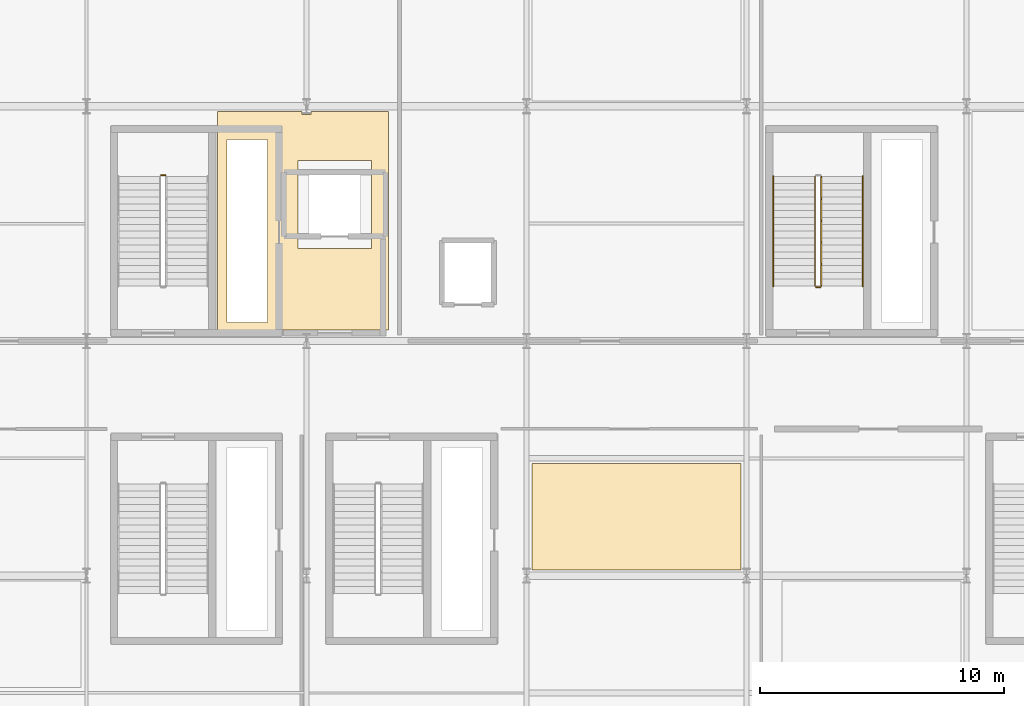
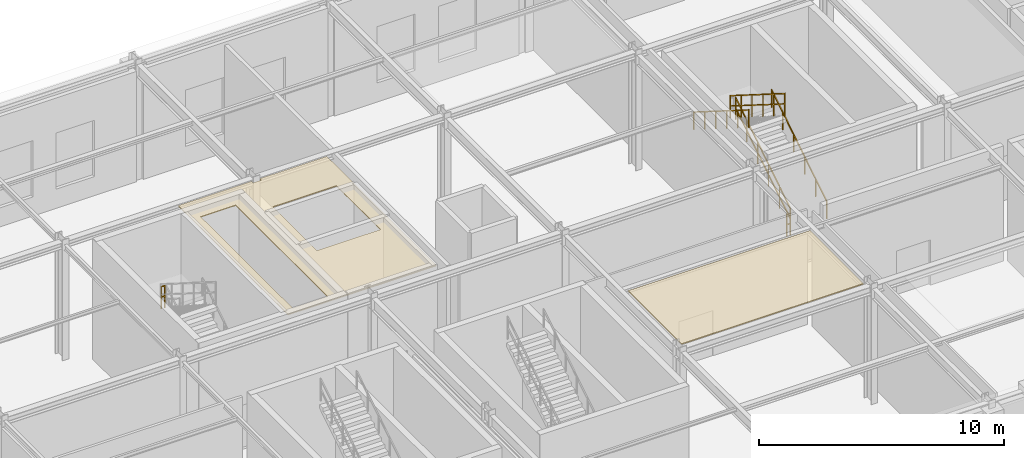
# One storey, part 108 of 113: 6 railings, 2 coverings.
"""IFC4 building model written with IfcOpenShell, lengths in metres."""

from ifc_helpers import new_model, si_unit, direction, frame, origin, origin_2d, place, context, subcontext, project, spatial, polyline, rectangle, outline, extrude, material, layer, layer_set, type_object, element, save


model = new_model("IFC4")

# Units and contexts
model_context = context("Model", 3, precision=1e-05, world=origin(), true_north=direction((0.0, 1.0)))
body_context = subcontext(model_context, "Body", "Model", "MODEL_VIEW")
ifc_project = project(units=[si_unit("LENGTHUNIT", "METRE"), si_unit("AREAUNIT", "SQUARE_METRE"), si_unit("VOLUMEUNIT", "CUBIC_METRE"), si_unit("PLANEANGLEUNIT", "RADIAN"), si_unit("MASSUNIT", "GRAM", prefix="KILO")], contexts=[model_context])

# Site, building, storey
site_placement = place(None, origin())
site = spatial("IfcSite", under=ifc_project, at=site_placement, CompositionType="ELEMENT")
building_placement = place(site_placement, origin())
building = spatial("IfcBuilding", under=site, at=building_placement, Name="Myrtia Square Station", CompositionType="ELEMENT")
storey_placement = place(building_placement, origin())
storey = spatial("IfcBuildingStorey", under=building, at=storey_placement, Name="L00", CompositionType="ELEMENT", Elevation=0.0)

# Coverings
ifc_material_1 = material(Name="Acoustic European oak timber", Category="wood")
ifc_layer = layer(ifc_material_1, 0.044921875, Name="Acoustic European oak timber")
ifc_layer_set = layer_set([ifc_layer], Name="Acoustic European oak timber")
covering_type = type_object("IfcCoveringType", Name="COV-CEIL-OAK", PredefinedType="CEILING", material=ifc_layer_set)
covering_1_placement = place(storey_placement, frame((0.0, 0.0, 5.705078125)))
element("IfcCovering", 1, at=covering_1_placement, inside=storey, type_object=covering_type, Name="Acoustic coffer ceiling L00-17", PredefinedType="CEILING", context=body_context, shape_type="SweptSolid", body=[
    extrude(outline(polyline([(144.219970703125, 96.219970703125), (144.219970703125, 100.580078125), (152.780029296875, 100.580078125), (152.780029296875, 96.219970703125), (144.219970703125, 96.219970703125)])), origin(), (0.0, 0.0, 1.0), 0.044921875),
])
covering_2_placement = place(storey_placement, frame((0.0, 0.0, 5.705078125)))
element("IfcCovering", 2, at=covering_2_placement, inside=storey, type_object=covering_type, Name="Acoustic coffer ceiling L00-25", PredefinedType="CEILING", context=body_context, shape_type="SweptSolid", body=[
    extrude(outline(polyline([(138.35009765625, 106.050048828125), (131.360107421875, 106.050048828125), (131.360107421875, 114.97998046875), (134.81005859375, 114.97998046875), (134.81005859375, 114.860107421875), (135.18994140625, 114.860107421875), (135.18994140625, 114.97998046875), (138.35009765625, 114.97998046875), (138.35009765625, 106.050048828125)]), holes=[polyline([(133.39990234375, 113.85009765625), (131.75, 113.85009765625), (131.75, 106.35009765625), (133.39990234375, 106.35009765625), (133.39990234375, 113.85009765625)]), polyline([(134.64990234375, 112.989990234375), (134.64990234375, 109.389892578125), (137.64990234375, 109.389892578125), (137.64990234375, 112.989990234375), (134.64990234375, 112.989990234375)])]), origin(), (0.0, 0.0, 1.0), 0.044921875),
])

# Railings
ifc_material_2 = material(Name="Dark bronze anodised aluminium", Category="aluminium")
railing_type_1 = type_object("IfcRailingType", Name="RL-HANDRAIL-900", PredefinedType="HANDRAIL", material=ifc_material_2)
railing_1_placement = place(storey_placement, frame((157.760009765625, 107.85009765625, 0.176513671875)))
element("IfcRailing", 3, at=railing_1_placement, inside=storey, type_object=railing_type_1, Name="L00 ST15 stair handrail 1", PredefinedType="HANDRAIL", context=body_context, shape_type="SweptSolid", body=[
    extrude(rectangle(XDim=0.048095703125, YDim=0.048095703125, at=origin_2d()), frame((0.0, 0.029296875, 0.894287109375), z_axis=(0.0, 0.845997938375, 0.533186166611), x_axis=(-1.0, 0.0, 0.0)), (0.0, 0.0, 1.0), 0.98974609375),
    extrude(rectangle(XDim=0.048095703125, YDim=0.048095703125, at=origin_2d()), frame((0.0, 0.92529296875, 1.458984375), z_axis=(0.0, 0.845997938375, 0.533186166611), x_axis=(-1.0, 0.0, 0.0)), (0.0, 0.0, 1.0), 0.98974609375),
    extrude(rectangle(XDim=0.048095703125, YDim=0.048095703125, at=origin_2d()), frame((0.0, 1.8212890625, 2.023681640625), z_axis=(0.0, 0.845997938375, 0.533186166611), x_axis=(-1.0, 0.0, 0.0)), (0.0, 0.0, 1.0), 0.98974609375),
    extrude(rectangle(XDim=0.048095703125, YDim=0.048095703125, at=origin_2d()), frame((0.0, 2.71728515625, 2.58837890625), z_axis=(0.0, 0.845997938375, 0.533186166611), x_axis=(-1.0, 0.0, 0.0)), (0.0, 0.0, 1.0), 0.98974609375),
    extrude(rectangle(XDim=0.048095703125, YDim=0.048095703125, at=origin_2d()), frame((0.0, 3.61328125, 3.153076171875), z_axis=(0.0, 0.845997938375, 0.533186166611), x_axis=(-1.0, 0.0, 0.0)), (0.0, 0.0, 1.0), 0.98974609375),
    extrude(rectangle(XDim=0.0439453125, YDim=0.0439453125, at=origin_2d()), origin(), (0.0, 0.0, 1.0), 0.89990234375),
    extrude(rectangle(XDim=0.0439453125, YDim=0.0439453125, at=origin_2d()), frame((0.0, 0.89599609375, 0.564697265625)), (0.0, 0.0, 1.0), 0.89990234375),
    extrude(rectangle(XDim=0.0439453125, YDim=0.0439453125, at=origin_2d()), frame((0.0, 1.7919921875, 1.12939453125)), (0.0, 0.0, 1.0), 0.89990234375),
    extrude(rectangle(XDim=0.0439453125, YDim=0.0439453125, at=origin_2d()), frame((0.0, 2.68798828125, 1.694091796875)), (0.0, 0.0, 1.0), 0.89990234375),
    extrude(rectangle(XDim=0.0439453125, YDim=0.0439453125, at=origin_2d()), frame((0.0, 3.583984375, 2.2587890625)), (0.0, 0.0, 1.0), 0.89990234375),
    extrude(rectangle(XDim=0.0439453125, YDim=0.0439453125, at=origin_2d()), frame((0.0, 4.47998046875, 2.823486328125)), (0.0, 0.0, 1.0), 0.89990234375),
])
railing_2_placement = place(storey_placement, frame((154.10009765625, 112.330078125, 3.176513671875)))
element("IfcRailing", 4, at=railing_2_placement, inside=storey, type_object=railing_type_1, Name="L00 ST15 stair handrail 2", PredefinedType="HANDRAIL", context=body_context, shape_type="SweptSolid", body=[
    extrude(rectangle(XDim=0.048095703125, YDim=0.048095703125, at=origin_2d()), frame((0.0, -0.029296875, 0.894287109375), z_axis=(0.0, -0.845997938375, 0.533186166611), x_axis=(1.0, 0.0, 0.0)), (0.0, 0.0, 1.0), 0.98974609375),
    extrude(rectangle(XDim=0.048095703125, YDim=0.048095703125, at=origin_2d()), frame((0.0, -0.92529296875, 1.458984375), z_axis=(0.0, -0.845997938375, 0.533186166611), x_axis=(1.0, 0.0, 0.0)), (0.0, 0.0, 1.0), 0.98974609375),
    extrude(rectangle(XDim=0.048095703125, YDim=0.048095703125, at=origin_2d()), frame((0.0, -1.8212890625, 2.023681640625), z_axis=(0.0, -0.845997938375, 0.533186166611), x_axis=(1.0, 0.0, 0.0)), (0.0, 0.0, 1.0), 0.98974609375),
    extrude(rectangle(XDim=0.048095703125, YDim=0.048095703125, at=origin_2d()), frame((0.0, -2.71728515625, 2.58837890625), z_axis=(0.0, -0.845997938375, 0.533186166611), x_axis=(1.0, 0.0, 0.0)), (0.0, 0.0, 1.0), 0.98974609375),
    extrude(rectangle(XDim=0.048095703125, YDim=0.048095703125, at=origin_2d()), frame((0.0, -3.61328125, 3.153076171875), z_axis=(0.0, -0.845997938375, 0.533186166611), x_axis=(1.0, 0.0, 0.0)), (0.0, 0.0, 1.0), 0.98974609375),
    extrude(rectangle(XDim=0.0439453125, YDim=0.0439453125, at=origin_2d()), origin(), (0.0, 0.0, 1.0), 0.89990234375),
    extrude(rectangle(XDim=0.0439453125, YDim=0.0439453125, at=origin_2d()), frame((0.0, -0.89599609375, 0.564697265625)), (0.0, 0.0, 1.0), 0.89990234375),
    extrude(rectangle(XDim=0.0439453125, YDim=0.0439453125, at=origin_2d()), frame((0.0, -1.7919921875, 1.12939453125)), (0.0, 0.0, 1.0), 0.89990234375),
    extrude(rectangle(XDim=0.0439453125, YDim=0.0439453125, at=origin_2d()), frame((0.0, -2.68798828125, 1.694091796875)), (0.0, 0.0, 1.0), 0.89990234375),
    extrude(rectangle(XDim=0.0439453125, YDim=0.0439453125, at=origin_2d()), frame((0.0, -3.583984375, 2.2587890625)), (0.0, 0.0, 1.0), 0.89990234375),
    extrude(rectangle(XDim=0.0439453125, YDim=0.0439453125, at=origin_2d()), frame((0.0, -4.47998046875, 2.823486328125)), (0.0, 0.0, 1.0), 0.89990234375),
])
ifc_material_3 = material(Name="Wrought iron", Category="steel")
railing_type_2 = type_object("IfcRailingType", Name="RL-INT-GUARD-1100", PredefinedType="BALUSTRADE", material=ifc_material_3)
railing_3_placement = place(storey_placement, frame((129.2099609375, 112.3798828125, 3.0)))
element("IfcRailing", 5, at=railing_3_placement, inside=storey, type_object=railing_type_2, Name="L00 ST07 stair guard 2", PredefinedType="BALUSTRADE", context=body_context, shape_type="SweptSolid", body=[
    extrude(rectangle(XDim=0.048095703125, YDim=0.048095703125, at=origin_2d()), frame((-0.03466796875, 0.0, 1.09619140625), z_axis=(-1.0, 0.0, 0.0), x_axis=(0.0, -1.0, 0.0)), (0.0, 0.0, 1.0), 0.090576171875),
    extrude(rectangle(XDim=0.048095703125, YDim=0.048095703125, at=origin_2d()), frame((-0.03466796875, 0.0, 0.58251953125), z_axis=(-1.0, 0.0, 0.0), x_axis=(0.0, -1.0, 0.0)), (0.0, 0.0, 1.0), 0.090576171875),
    extrude(rectangle(XDim=0.0439453125, YDim=0.0439453125, at=origin_2d()), origin(), (0.0, 0.0, 1.0), 1.1201171875),
    extrude(rectangle(XDim=0.0439453125, YDim=0.0439453125, at=origin_2d()), frame((-0.159912109375, 0.0, 0.0)), (0.0, 0.0, 1.0), 1.1201171875),
])
railing_4_placement = place(storey_placement, frame((156.06005859375, 107.85009765625, 0.176513671875)))
element("IfcRailing", 6, at=railing_4_placement, inside=storey, type_object=railing_type_2, Name="L00 ST15 stair guard 1", PredefinedType="BALUSTRADE", context=body_context, shape_type="SweptSolid", body=[
    extrude(rectangle(XDim=0.048095703125, YDim=0.048095703125, at=origin_2d()), frame((0.0, 0.029296875, 1.114501953125), z_axis=(0.0, 0.845997938375, 0.533186166611), x_axis=(-1.0, 0.0, 0.0)), (0.0, 0.0, 1.0), 0.98974609375),
    extrude(rectangle(XDim=0.048095703125, YDim=0.048095703125, at=origin_2d()), frame((0.0, 0.029296875, 0.600830078125), z_axis=(0.0, 0.845997938375, 0.533186166611), x_axis=(-1.0, 0.0, 0.0)), (0.0, 0.0, 1.0), 0.98974609375),
    extrude(rectangle(XDim=0.048095703125, YDim=0.048095703125, at=origin_2d()), frame((0.0, 0.92529296875, 1.67919921875), z_axis=(0.0, 0.845997938375, 0.533186166611), x_axis=(-1.0, 0.0, 0.0)), (0.0, 0.0, 1.0), 0.98974609375),
    extrude(rectangle(XDim=0.048095703125, YDim=0.048095703125, at=origin_2d()), frame((0.0, 0.92529296875, 1.16552734375), z_axis=(0.0, 0.845997938375, 0.533186166611), x_axis=(-1.0, 0.0, 0.0)), (0.0, 0.0, 1.0), 0.98974609375),
    extrude(rectangle(XDim=0.048095703125, YDim=0.048095703125, at=origin_2d()), frame((0.0, 1.8212890625, 2.243896484375), z_axis=(0.0, 0.845997938375, 0.533186166611), x_axis=(-1.0, 0.0, 0.0)), (0.0, 0.0, 1.0), 0.98974609375),
    extrude(rectangle(XDim=0.048095703125, YDim=0.048095703125, at=origin_2d()), frame((0.0, 1.8212890625, 1.730224609375), z_axis=(0.0, 0.845997938375, 0.533186166611), x_axis=(-1.0, 0.0, 0.0)), (0.0, 0.0, 1.0), 0.98974609375),
    extrude(rectangle(XDim=0.048095703125, YDim=0.048095703125, at=origin_2d()), frame((0.0, 2.71728515625, 2.80859375), z_axis=(0.0, 0.845997938375, 0.533186166611), x_axis=(-1.0, 0.0, 0.0)), (0.0, 0.0, 1.0), 0.98974609375),
    extrude(rectangle(XDim=0.048095703125, YDim=0.048095703125, at=origin_2d()), frame((0.0, 2.71728515625, 2.294921875), z_axis=(0.0, 0.845997938375, 0.533186166611), x_axis=(-1.0, 0.0, 0.0)), (0.0, 0.0, 1.0), 0.98974609375),
    extrude(rectangle(XDim=0.048095703125, YDim=0.048095703125, at=origin_2d()), frame((0.0, 3.61328125, 3.373291015625), z_axis=(0.0, 0.845997938375, 0.533186166611), x_axis=(-1.0, 0.0, 0.0)), (0.0, 0.0, 1.0), 0.98974609375),
    extrude(rectangle(XDim=0.048095703125, YDim=0.048095703125, at=origin_2d()), frame((0.0, 3.61328125, 2.859619140625), z_axis=(0.0, 0.845997938375, 0.533186166611), x_axis=(-1.0, 0.0, 0.0)), (0.0, 0.0, 1.0), 0.98974609375),
    extrude(rectangle(XDim=0.0439453125, YDim=0.0439453125, at=origin_2d()), origin(), (0.0, 0.0, 1.0), 1.1201171875),
    extrude(rectangle(XDim=0.0439453125, YDim=0.0439453125, at=origin_2d()), frame((0.0, 0.89599609375, 0.564697265625)), (0.0, 0.0, 1.0), 1.1201171875),
    extrude(rectangle(XDim=0.0439453125, YDim=0.0439453125, at=origin_2d()), frame((0.0, 1.7919921875, 1.12939453125)), (0.0, 0.0, 1.0), 1.1201171875),
    extrude(rectangle(XDim=0.0439453125, YDim=0.0439453125, at=origin_2d()), frame((0.0, 2.68798828125, 1.694091796875)), (0.0, 0.0, 1.0), 1.1201171875),
    extrude(rectangle(XDim=0.0439453125, YDim=0.0439453125, at=origin_2d()), frame((0.0, 3.583984375, 2.2587890625)), (0.0, 0.0, 1.0), 1.1201171875),
    extrude(rectangle(XDim=0.0439453125, YDim=0.0439453125, at=origin_2d()), frame((0.0, 4.47998046875, 2.823486328125)), (0.0, 0.0, 1.0), 1.1201171875),
])
railing_5_placement = place(storey_placement, frame((155.800048828125, 112.330078125, 3.176513671875)))
element("IfcRailing", 7, at=railing_5_placement, inside=storey, type_object=railing_type_2, Name="L00 ST15 stair guard 3", PredefinedType="BALUSTRADE", context=body_context, shape_type="SweptSolid", body=[
    extrude(rectangle(XDim=0.048095703125, YDim=0.048095703125, at=origin_2d()), frame((0.0, -0.029296875, 1.114501953125), z_axis=(0.0, -0.845997938375, 0.533186166611), x_axis=(1.0, 0.0, 0.0)), (0.0, 0.0, 1.0), 0.98974609375),
    extrude(rectangle(XDim=0.048095703125, YDim=0.048095703125, at=origin_2d()), frame((0.0, -0.029296875, 0.600830078125), z_axis=(0.0, -0.845997938375, 0.533186166611), x_axis=(1.0, 0.0, 0.0)), (0.0, 0.0, 1.0), 0.98974609375),
    extrude(rectangle(XDim=0.048095703125, YDim=0.048095703125, at=origin_2d()), frame((0.0, -0.92529296875, 1.67919921875), z_axis=(0.0, -0.845997938375, 0.533186166611), x_axis=(1.0, 0.0, 0.0)), (0.0, 0.0, 1.0), 0.98974609375),
    extrude(rectangle(XDim=0.048095703125, YDim=0.048095703125, at=origin_2d()), frame((0.0, -0.92529296875, 1.16552734375), z_axis=(0.0, -0.845997938375, 0.533186166611), x_axis=(1.0, 0.0, 0.0)), (0.0, 0.0, 1.0), 0.98974609375),
    extrude(rectangle(XDim=0.048095703125, YDim=0.048095703125, at=origin_2d()), frame((0.0, -1.8212890625, 2.243896484375), z_axis=(0.0, -0.845997938375, 0.533186166611), x_axis=(1.0, 0.0, 0.0)), (0.0, 0.0, 1.0), 0.98974609375),
    extrude(rectangle(XDim=0.048095703125, YDim=0.048095703125, at=origin_2d()), frame((0.0, -1.8212890625, 1.730224609375), z_axis=(0.0, -0.845997938375, 0.533186166611), x_axis=(1.0, 0.0, 0.0)), (0.0, 0.0, 1.0), 0.98974609375),
    extrude(rectangle(XDim=0.048095703125, YDim=0.048095703125, at=origin_2d()), frame((0.0, -2.71728515625, 2.80859375), z_axis=(0.0, -0.845997938375, 0.533186166611), x_axis=(1.0, 0.0, 0.0)), (0.0, 0.0, 1.0), 0.98974609375),
    extrude(rectangle(XDim=0.048095703125, YDim=0.048095703125, at=origin_2d()), frame((0.0, -2.71728515625, 2.294921875), z_axis=(0.0, -0.845997938375, 0.533186166611), x_axis=(1.0, 0.0, 0.0)), (0.0, 0.0, 1.0), 0.98974609375),
    extrude(rectangle(XDim=0.048095703125, YDim=0.048095703125, at=origin_2d()), frame((0.0, -3.61328125, 3.373291015625), z_axis=(0.0, -0.845997938375, 0.533186166611), x_axis=(1.0, 0.0, 0.0)), (0.0, 0.0, 1.0), 0.98974609375),
    extrude(rectangle(XDim=0.048095703125, YDim=0.048095703125, at=origin_2d()), frame((0.0, -3.61328125, 2.859619140625), z_axis=(0.0, -0.845997938375, 0.533186166611), x_axis=(1.0, 0.0, 0.0)), (0.0, 0.0, 1.0), 0.98974609375),
    extrude(rectangle(XDim=0.0439453125, YDim=0.0439453125, at=origin_2d()), origin(), (0.0, 0.0, 1.0), 1.1201171875),
    extrude(rectangle(XDim=0.0439453125, YDim=0.0439453125, at=origin_2d()), frame((0.0, -0.89599609375, 0.564697265625)), (0.0, 0.0, 1.0), 1.1201171875),
    extrude(rectangle(XDim=0.0439453125, YDim=0.0439453125, at=origin_2d()), frame((0.0, -1.7919921875, 1.12939453125)), (0.0, 0.0, 1.0), 1.1201171875),
    extrude(rectangle(XDim=0.0439453125, YDim=0.0439453125, at=origin_2d()), frame((0.0, -2.68798828125, 1.694091796875)), (0.0, 0.0, 1.0), 1.1201171875),
    extrude(rectangle(XDim=0.0439453125, YDim=0.0439453125, at=origin_2d()), frame((0.0, -3.583984375, 2.2587890625)), (0.0, 0.0, 1.0), 1.1201171875),
    extrude(rectangle(XDim=0.0439453125, YDim=0.0439453125, at=origin_2d()), frame((0.0, -4.47998046875, 2.823486328125)), (0.0, 0.0, 1.0), 1.1201171875),
])
railing_6_placement = place(storey_placement, frame((156.010009765625, 107.800048828125, 0.0)))
element("IfcRailing", 8, at=railing_6_placement, inside=storey, type_object=railing_type_2, Name="L00 ST15 stair guard 4", PredefinedType="BALUSTRADE", context=body_context, shape_type="SweptSolid", body=[
    extrude(rectangle(XDim=0.048095703125, YDim=0.048095703125, at=origin_2d()), frame((-0.03466796875, 0.0, 1.09619140625), z_axis=(-1.0, 0.0, 0.0), x_axis=(0.0, -1.0, 0.0)), (0.0, 0.0, 1.0), 0.090576171875),
    extrude(rectangle(XDim=0.048095703125, YDim=0.048095703125, at=origin_2d()), frame((-0.03466796875, 0.0, 0.58251953125), z_axis=(-1.0, 0.0, 0.0), x_axis=(0.0, -1.0, 0.0)), (0.0, 0.0, 1.0), 0.090576171875),
    extrude(rectangle(XDim=0.0439453125, YDim=0.0439453125, at=origin_2d()), origin(), (0.0, 0.0, 1.0), 1.1201171875),
    extrude(rectangle(XDim=0.0439453125, YDim=0.0439453125, at=origin_2d()), frame((-0.159912109375, 0.0, 0.0)), (0.0, 0.0, 1.0), 1.1201171875),
])

save(model, "model.ifc")
